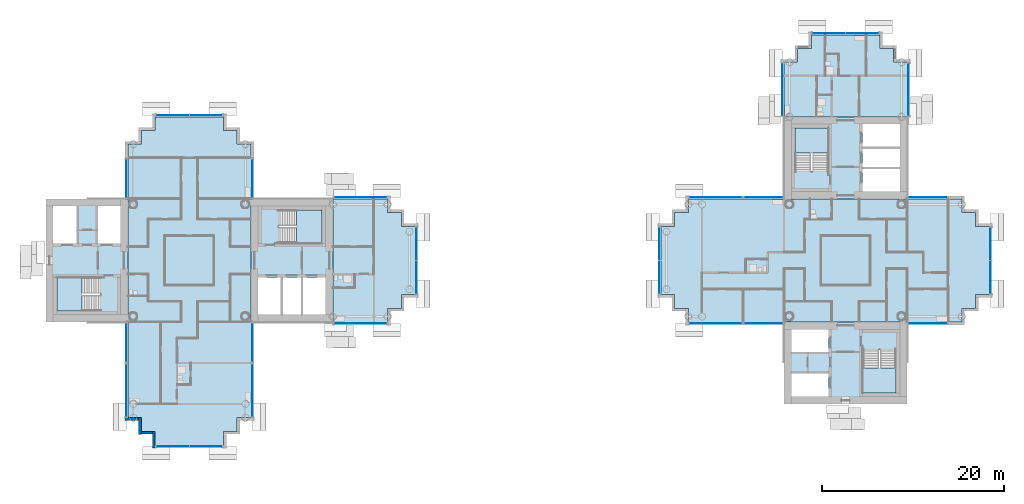
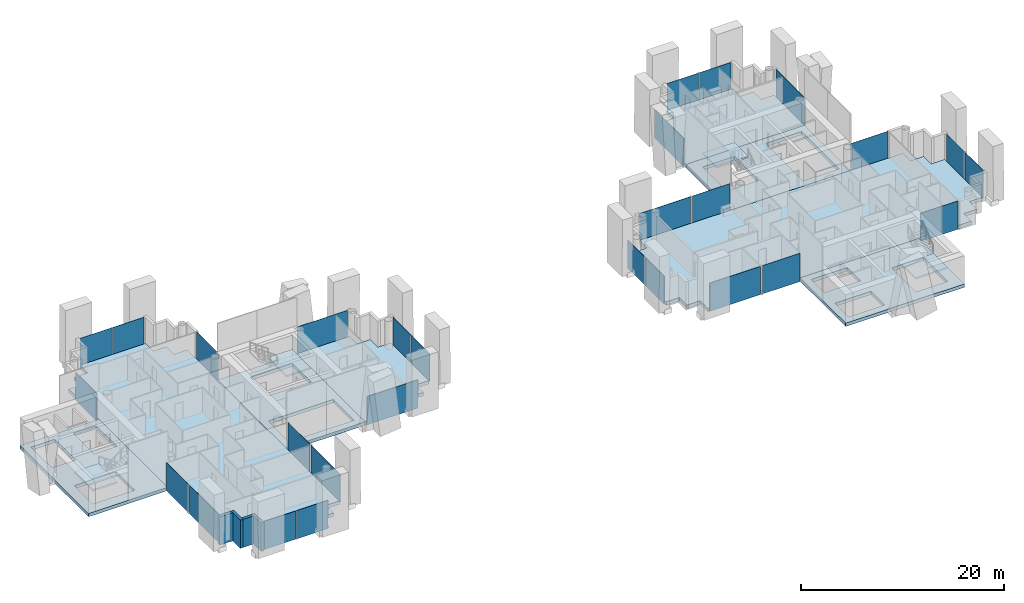
# One storey, part 5 of 18: 28 plates, 12 slabs, 4 walls, 26 elements without a shape of their own.
"""IFC4 building model written with IfcOpenShell, lengths in metres."""

from ifc_helpers import new_model, si_unit, direction, frame, frame_2d, origin, origin_2d, place, context, subcontext, project, spatial, polyline, rectangle, outline, extrude, material, layer, layer_set, type_object, element, aggregate, save


model = new_model("IFC4")

# Units and contexts
model_context = context("Model", 3, precision=1e-05, world=origin(), true_north=direction((0.0, 1.0)))
body_context = subcontext(model_context, "Body", "Model", "MODEL_VIEW")
ifc_project = project(units=[si_unit("LENGTHUNIT", "METRE"), si_unit("AREAUNIT", "SQUARE_METRE"), si_unit("VOLUMEUNIT", "CUBIC_METRE"), si_unit("PLANEANGLEUNIT", "RADIAN"), si_unit("MASSUNIT", "GRAM", prefix="KILO")], contexts=[model_context])

# Site, building, storey
site_placement = place(None, origin())
site = spatial("IfcSite", under=ifc_project, at=site_placement, CompositionType="ELEMENT")
building_placement = place(site_placement, origin())
building = spatial("IfcBuilding", under=site, at=building_placement, Name="Ipe Terrace Towers", CompositionType="ELEMENT")
storey_placement = place(building_placement, frame((0.0, 0.0, 150.699951171875)))
storey = spatial("IfcBuildingStorey", under=building, at=storey_placement, Name="L41", CompositionType="ELEMENT", Elevation=150.699951171875)

# Slabs
ifc_material_1 = material(Name="Concrete C30/37", Category="concrete")
ifc_layer_1 = layer(ifc_material_1, 0.39990234375)
ifc_layer_set_1 = layer_set([ifc_layer_1], Name="CORE FLOOR SLAB 400 C30-37")
slab_type_1 = type_object("IfcSlabType", Name="CORE FLOOR SLAB 400 C30-37", PredefinedType="FLOOR", material=ifc_layer_set_1)
slab_1_placement = place(storey_placement, frame((0.0, 0.0, -0.39990234375)))
element("IfcSlab", 1, at=slab_1_placement, inside=storey, type_object=slab_type_1, Name="Core floor T1-C1", PredefinedType="FLOOR", context=body_context, shape_type="SweptSolid", body=[
    extrude(outline(polyline([(-29.25, -6.75), (-29.25, 6.75), (-20.25, 6.75), (-20.25, -6.75), (-29.25, -6.75)]), holes=[polyline([(-28.449951171875, -5.949951171875), (-21.050048828125, -5.949951171875), (-21.050048828125, -1.85009765625), (-28.449951171875, -1.85009765625), (-28.449951171875, -5.949951171875)]), polyline([(-26.199951171875, 5.550048828125), (-26.199951171875, 1.89990234375), (-21.449951171875, 1.89990234375), (-21.449951171875, 5.550048828125), (-26.199951171875, 5.550048828125)])]), origin(), (0.0, 0.0, 1.0), 0.39990234375),
])
slab_2_placement = place(storey_placement, frame((0.0, 0.0, -0.39990234375)))
element("IfcSlab", 2, at=slab_2_placement, inside=storey, type_object=slab_type_1, Name="Core floor T1-C2", PredefinedType="FLOOR", context=body_context, shape_type="SweptSolid", body=[
    extrude(outline(polyline([(-51.75, -6.75), (-51.75, 6.75), (-42.75, 6.75), (-42.75, -6.75), (-51.75, -6.75)]), holes=[polyline([(-45.800048828125, -1.89990234375), (-50.550048828125, -1.89990234375), (-50.550048828125, -5.550048828125), (-45.800048828125, -5.550048828125), (-45.800048828125, -1.89990234375)]), polyline([(-48.25, 1.85009765625), (-48.25, 5.949951171875), (-50.949951171875, 5.949951171875), (-50.949951171875, 1.85009765625), (-48.25, 1.85009765625)]), polyline([(-43.550048828125, 1.85009765625), (-43.550048828125, 5.949951171875), (-46.14990234375, 5.949951171875), (-46.14990234375, 1.85009765625), (-43.550048828125, 1.85009765625)])]), origin(), (0.0, 0.0, 1.0), 0.39990234375),
])
slab_3_placement = place(storey_placement, frame((0.0, 0.0, -0.39990234375)))
element("IfcSlab", 3, at=slab_3_placement, inside=storey, type_object=slab_type_1, Name="Core floor T2-C1", PredefinedType="FLOOR", context=body_context, shape_type="SweptSolid", body=[
    extrude(outline(polyline([(29.25, 6.75), (29.25, 15.75), (42.75, 15.75), (42.75, 6.75), (29.25, 6.75)]), holes=[polyline([(41.949951171875, 7.550048828125), (41.949951171875, 14.949951171875), (37.85009765625, 14.949951171875), (37.85009765625, 7.550048828125), (41.949951171875, 7.550048828125)]), polyline([(30.449951171875, 9.800048828125), (34.10009765625, 9.800048828125), (34.10009765625, 14.550048828125), (30.449951171875, 14.550048828125), (30.449951171875, 9.800048828125)])]), origin(), (0.0, 0.0, 1.0), 0.39990234375),
])
slab_4_placement = place(storey_placement, frame((0.0, 0.0, -0.39990234375)))
element("IfcSlab", 4, at=slab_4_placement, inside=storey, type_object=slab_type_1, Name="Core floor T2-C2", PredefinedType="FLOOR", context=body_context, shape_type="SweptSolid", body=[
    extrude(outline(polyline([(29.25, -15.75), (29.25, -6.75), (42.75, -6.75), (42.75, -15.75), (29.25, -15.75)]), holes=[polyline([(30.050048828125, -12.25), (30.050048828125, -14.949951171875), (34.14990234375, -14.949951171875), (34.14990234375, -12.25), (30.050048828125, -12.25)]), polyline([(41.550048828125, -9.800048828125), (37.89990234375, -9.800048828125), (37.89990234375, -14.550048828125), (41.550048828125, -14.550048828125), (41.550048828125, -9.800048828125)]), polyline([(34.14990234375, -7.550048828125), (30.050048828125, -7.550048828125), (30.050048828125, -10.14990234375), (34.14990234375, -10.14990234375), (34.14990234375, -7.550048828125)])]), origin(), (0.0, 0.0, 1.0), 0.39990234375),
])

# Stair, slab
ifc_material_2 = material(Name="Concrete C30/37", Category="concrete")
stair_type = type_object("IfcStairType", Name="Protected exit stair", PredefinedType="HALF_TURN_STAIR", material=ifc_material_2)
stair_1_placement = place(storey_placement, origin())
stair_1 = element("IfcStair", 5, at=stair_1_placement, inside=storey, type_object=stair_type, Name="L41 Exit stair T1-C1", PredefinedType="HALF_TURN_STAIR")
ifc_material_3 = material(Name="Concrete C30/37", Category="concrete")
ifc_layer_2 = layer(ifc_material_3, 0.199951171875)
ifc_layer_set_2 = layer_set([ifc_layer_2], Name="Exit stair landing 200")
slab_type_2 = type_object("IfcSlabType", Name="Exit stair landing 200", PredefinedType="LANDING", material=ifc_layer_set_2)
slab_5_placement = place(storey_placement, frame((0.0, 0.0, 1.5)))
slab_5 = element("IfcSlab", 6, at=slab_5_placement, type_object=slab_type_2, Name="T1-ST1 landing 1", PredefinedType="LANDING", context=body_context, shape_type="SweptSolid", body=[
    extrude(outline(polyline([(-24.219970703125, 1.89990234375), (-21.449951171875, 1.89990234375), (-21.449951171875, 5.550048828125), (-24.219970703125, 5.550048828125), (-24.219970703125, 1.89990234375)])), origin(), (0.0, 0.0, 1.0), 0.199951171875),
])
aggregate(stair_1, [slab_5])

stair_2_placement = place(storey_placement, origin())
stair_2 = element("IfcStair", 7, at=stair_2_placement, inside=storey, type_object=stair_type, Name="L41 Exit stair T1-C2", PredefinedType="HALF_TURN_STAIR")
slab_6_placement = place(storey_placement, frame((0.0, 0.0, 1.5)))
slab_6 = element("IfcSlab", 8, at=slab_6_placement, type_object=slab_type_2, Name="T1-ST2 landing 1", PredefinedType="LANDING", context=body_context, shape_type="SweptSolid", body=[
    extrude(outline(polyline([(-47.780029296875, -1.89990234375), (-50.550048828125, -1.89990234375), (-50.550048828125, -5.550048828125), (-47.780029296875, -5.550048828125), (-47.780029296875, -1.89990234375)])), origin(), (0.0, 0.0, 1.0), 0.199951171875),
])
aggregate(stair_2, [slab_6])

stair_3_placement = place(storey_placement, origin())
stair_3 = element("IfcStair", 9, at=stair_3_placement, inside=storey, type_object=stair_type, Name="L41 Exit stair T2-C1", PredefinedType="HALF_TURN_STAIR")
slab_7_placement = place(storey_placement, frame((0.0, 0.0, 1.5)))
slab_7 = element("IfcSlab", 10, at=slab_7_placement, type_object=slab_type_2, Name="T2-ST1 landing 1", PredefinedType="LANDING", context=body_context, shape_type="SweptSolid", body=[
    extrude(outline(polyline([(34.10009765625, 11.780029296875), (34.10009765625, 14.550048828125), (30.449951171875, 14.550048828125), (30.449951171875, 11.780029296875), (34.10009765625, 11.780029296875)])), origin(), (0.0, 0.0, 1.0), 0.199951171875),
])
aggregate(stair_3, [slab_7])

stair_4_placement = place(storey_placement, origin())
stair_4 = element("IfcStair", 11, at=stair_4_placement, inside=storey, type_object=stair_type, Name="L41 Exit stair T2-C2", PredefinedType="HALF_TURN_STAIR")
slab_8_placement = place(storey_placement, frame((0.0, 0.0, 1.5)))
slab_8 = element("IfcSlab", 12, at=slab_8_placement, type_object=slab_type_2, Name="T2-ST2 landing 1", PredefinedType="LANDING", context=body_context, shape_type="SweptSolid", body=[
    extrude(outline(polyline([(37.89990234375, -11.780029296875), (37.89990234375, -14.550048828125), (41.550048828125, -14.550048828125), (41.550048828125, -11.780029296875), (37.89990234375, -11.780029296875)])), origin(), (0.0, 0.0, 1.0), 0.199951171875),
])
aggregate(stair_4, [slab_8])

# Slabs
ifc_material_4 = material(Name="Concrete C40/50", Category="concrete")
ifc_layer_3 = layer(ifc_material_4, 0.39990234375)
ifc_layer_set_3 = layer_set([ifc_layer_3], Name="FLAT PLATE SLAB 400 C40-50")
slab_type_3 = type_object("IfcSlabType", Name="FLAT PLATE SLAB 400 C40-50", PredefinedType="FLOOR", material=ifc_layer_set_3)
slab_9_placement = place(storey_placement, frame((0.0, 0.0, -0.39990234375)))
element("IfcSlab", 13, at=slab_9_placement, inside=storey, type_object=slab_type_3, Name="Slab T1-FS-Z31", PredefinedType="FLOOR", context=body_context, shape_type="SweptSolid", body=[
    extrude(outline(polyline([(-30.75, -17.25), (-30.75, -18.75), (-32.25, -18.75), (-32.25, -20.25), (-39.75, -20.25), (-39.75, -18.75), (-41.25, -18.75), (-41.25, -17.25), (-42.75, -17.25), (-42.75, -6.75), (-42.75, 6.75), (-42.75, 12.75), (-41.25, 12.75), (-41.25, 14.25), (-39.75, 14.25), (-39.75, 15.75), (-32.25, 15.75), (-32.25, 14.25), (-30.75, 14.25), (-30.75, 12.75), (-29.25, 12.75), (-29.25, 6.75), (-29.25, -6.75), (-29.25, -17.25), (-30.75, -17.25)])), origin(), (0.0, 0.0, 1.0), 0.39990234375),
])
slab_10_placement = place(storey_placement, frame((0.0, 0.0, -0.39990234375)))
element("IfcSlab", 14, at=slab_10_placement, inside=storey, type_object=slab_type_3, Name="Slab T1-FS-Z32", PredefinedType="FLOOR", context=body_context, shape_type="SweptSolid", body=[
    extrude(outline(polyline([(-14.25, 5.25), (-12.75, 5.25), (-12.75, 3.75), (-11.25, 3.75), (-11.25, -3.75), (-12.75, -3.75), (-12.75, -5.25), (-14.25, -5.25), (-14.25, -6.75), (-20.25, -6.75), (-20.25, 6.75), (-14.25, 6.75), (-14.25, 5.25)])), origin(), (0.0, 0.0, 1.0), 0.39990234375),
])
slab_11_placement = place(storey_placement, frame((0.0, 0.0, -0.39990234375)))
element("IfcSlab", 15, at=slab_11_placement, inside=storey, type_object=slab_type_3, Name="Slab T2-FS-Z31", PredefinedType="FLOOR", context=body_context, shape_type="SweptSolid", body=[
    extrude(outline(polyline([(48.75, 5.25), (50.25, 5.25), (50.25, 3.75), (51.75, 3.75), (51.75, -3.75), (50.25, -3.75), (50.25, -5.25), (48.75, -5.25), (48.75, -6.75), (42.75, -6.75), (29.25, -6.75), (18.75, -6.75), (18.75, -5.25), (17.25, -5.25), (17.25, -3.75), (15.75, -3.75), (15.75, 3.75), (17.25, 3.75), (17.25, 5.25), (18.75, 5.25), (18.75, 6.75), (29.25, 6.75), (42.75, 6.75), (48.75, 6.75), (48.75, 5.25)])), origin(), (0.0, 0.0, 1.0), 0.39990234375),
])
slab_12_placement = place(storey_placement, frame((0.0, 0.0, -0.39990234375)))
element("IfcSlab", 16, at=slab_12_placement, inside=storey, type_object=slab_type_3, Name="Slab T2-FS-Z32", PredefinedType="FLOOR", context=body_context, shape_type="SweptSolid", body=[
    extrude(outline(polyline([(30.75, 21.75), (30.75, 23.25), (32.25, 23.25), (32.25, 24.75), (39.75, 24.75), (39.75, 23.25), (41.25, 23.25), (41.25, 21.75), (42.75, 21.75), (42.75, 15.75), (29.25, 15.75), (29.25, 21.75), (30.75, 21.75)])), origin(), (0.0, 0.0, 1.0), 0.39990234375),
])

# Curtain wall, plate
ifc_material_5 = material(Name="Aluminium alloy 6063-T6", Category="aluminium")
ifc_layer_4 = layer(ifc_material_5, 0.320068359375)
ifc_layer_set_4 = layer_set([ifc_layer_4], Name="TOWER UNITISED CURTAIN WALL")
curtain_wall_type = type_object("IfcCurtainWallType", Name="TOWER UNITISED CURTAIN WALL", PredefinedType="NOTDEFINED", material=ifc_layer_set_4)
curtain_wall_1_placement = place(storey_placement, origin())
curtain_wall_1 = element("IfcCurtainWall", 17, at=curtain_wall_1_placement, inside=storey, type_object=curtain_wall_type, Name="T1-CW-L41-02a curtain wall", PredefinedType="NOTDEFINED")
ifc_material_6 = material(Name="Glass, clear laminated", Category="glass")
ifc_layer_5 = layer(ifc_material_6, 0.031982421875)
ifc_layer_set_5 = layer_set([ifc_layer_5], Name="TOWER UNITISED GLASS PANEL 32")
plate_type = type_object("IfcPlateType", Name="TOWER UNITISED GLASS PANEL 32", PredefinedType="CURTAIN_PANEL", material=ifc_layer_set_5)
plate_1_placement = place(storey_placement, frame((-42.909912109375, -9.0, -0.2998046875), z_axis=(0.0, 0.0, 1.0), x_axis=(0.0, -1.0, 0.0)))
plate_1 = element("IfcPlate", 18, at=plate_1_placement, type_object=plate_type, Name="T1-CW-L41-02a panel 1", PredefinedType="CURTAIN_PANEL", context=body_context, shape_type="SweptSolid", body=[
    extrude(rectangle(XDim=4.260009765625, YDim=0.031982421875, at=origin_2d()), origin(), (0.0, 0.0, 1.0), 3.39990234375),
])
aggregate(curtain_wall_1, [plate_1])

curtain_wall_2_placement = place(storey_placement, origin())
curtain_wall_2 = element("IfcCurtainWall", 19, at=curtain_wall_2_placement, inside=storey, type_object=curtain_wall_type, Name="T1-CW-L41-03a curtain wall", PredefinedType="NOTDEFINED")
plate_2_placement = place(storey_placement, frame((-42.909912109375, -14.25, -0.2998046875), z_axis=(0.0, 0.0, 1.0), x_axis=(0.0, -1.0, 0.0)))
plate_2 = element("IfcPlate", 20, at=plate_2_placement, type_object=plate_type, Name="T1-CW-L41-03a panel 1", PredefinedType="CURTAIN_PANEL", context=body_context, shape_type="SweptSolid", body=[
    extrude(rectangle(XDim=5.760009765625, YDim=0.031982421875, at=origin_2d()), origin(), (0.0, 0.0, 1.0), 3.39990234375),
])
aggregate(curtain_wall_2, [plate_2])

# Curtain wall, plates
curtain_wall_3_placement = place(storey_placement, origin())
curtain_wall_3 = element("IfcCurtainWall", 21, at=curtain_wall_3_placement, inside=storey, type_object=curtain_wall_type, Name="T1-CW-L41-08a curtain wall", PredefinedType="NOTDEFINED")
plate_3_placement = place(storey_placement, frame((-37.831298828125, -20.409912109375, -0.2998046875), z_axis=(0.0, 0.0, 1.0), x_axis=(1.0, 0.0, 0.0)))
plate_3 = element("IfcPlate", 22, at=plate_3_placement, type_object=plate_type, Name="T1-CW-L41-08a panel 1", PredefinedType="CURTAIN_PANEL", context=body_context, shape_type="SweptSolid", body=[
    extrude(rectangle(XDim=3.597412109375, YDim=0.031982421875, at=origin_2d()), origin(), (0.0, 0.0, 1.0), 3.39990234375),
])
plate_4_placement = place(storey_placement, frame((-34.168701171875, -20.409912109375, -0.2998046875), z_axis=(0.0, 0.0, 1.0), x_axis=(1.0, 0.0, 0.0)))
plate_4 = element("IfcPlate", 23, at=plate_4_placement, type_object=plate_type, Name="T1-CW-L41-08a panel 2", PredefinedType="CURTAIN_PANEL", context=body_context, shape_type="SweptSolid", body=[
    extrude(rectangle(XDim=3.597412109375, YDim=0.031982421875, at=origin_2d()), origin(), (0.0, 0.0, 1.0), 3.39990234375),
])
aggregate(curtain_wall_3, [plate_3, plate_4])

# Curtain wall, plate
curtain_wall_4_placement = place(storey_placement, origin())
curtain_wall_4 = element("IfcCurtainWall", 24, at=curtain_wall_4_placement, inside=storey, type_object=curtain_wall_type, Name="T1-CW-L41-13a curtain wall", PredefinedType="NOTDEFINED")
plate_5_placement = place(storey_placement, frame((-29.090087890625, -14.25, -0.2998046875), z_axis=(0.0, 0.0, 1.0), x_axis=(0.0, 1.0, 0.0)))
plate_5 = element("IfcPlate", 25, at=plate_5_placement, type_object=plate_type, Name="T1-CW-L41-13a panel 1", PredefinedType="CURTAIN_PANEL", context=body_context, shape_type="SweptSolid", body=[
    extrude(rectangle(XDim=5.760009765625, YDim=0.031982421875, at=origin_2d()), origin(), (0.0, 0.0, 1.0), 3.39990234375),
])
aggregate(curtain_wall_4, [plate_5])

curtain_wall_5_placement = place(storey_placement, origin())
curtain_wall_5 = element("IfcCurtainWall", 26, at=curtain_wall_5_placement, inside=storey, type_object=curtain_wall_type, Name="T1-CW-L41-14a curtain wall", PredefinedType="NOTDEFINED")
plate_6_placement = place(storey_placement, frame((-29.090087890625, -9.0, -0.2998046875), z_axis=(0.0, 0.0, 1.0), x_axis=(0.0, 1.0, 0.0)))
plate_6 = element("IfcPlate", 27, at=plate_6_placement, type_object=plate_type, Name="T1-CW-L41-14a panel 1", PredefinedType="CURTAIN_PANEL", context=body_context, shape_type="SweptSolid", body=[
    extrude(rectangle(XDim=4.260009765625, YDim=0.031982421875, at=origin_2d()), origin(), (0.0, 0.0, 1.0), 3.39990234375),
])
aggregate(curtain_wall_5, [plate_6])

curtain_wall_6_placement = place(storey_placement, origin())
curtain_wall_6 = element("IfcCurtainWall", 28, at=curtain_wall_6_placement, inside=storey, type_object=curtain_wall_type, Name="T1-CW-L41-16b curtain wall", PredefinedType="NOTDEFINED")
plate_7_placement = place(storey_placement, frame((-17.24951171875, -6.909912109375, -0.2998046875), z_axis=(0.0, 0.0, 1.0), x_axis=(1.0, 0.0, 0.0)))
plate_7 = element("IfcPlate", 29, at=plate_7_placement, type_object=plate_type, Name="T1-CW-L41-16b panel 1", PredefinedType="CURTAIN_PANEL", context=body_context, shape_type="SweptSolid", body=[
    extrude(rectangle(XDim=5.759033203125, YDim=0.031982421875, at=origin_2d()), origin(), (0.0, 0.0, 1.0), 3.39990234375),
])
aggregate(curtain_wall_6, [plate_7])

# Curtain wall, plates
curtain_wall_7_placement = place(storey_placement, origin())
curtain_wall_7 = element("IfcCurtainWall", 30, at=curtain_wall_7_placement, inside=storey, type_object=curtain_wall_type, Name="T1-CW-L41-21a curtain wall", PredefinedType="NOTDEFINED")
plate_8_placement = place(storey_placement, frame((-11.090087890625, -1.831298828125, -0.2998046875), z_axis=(0.0, 0.0, 1.0), x_axis=(0.0, 1.0, 0.0)))
plate_8 = element("IfcPlate", 31, at=plate_8_placement, type_object=plate_type, Name="T1-CW-L41-21a panel 1", PredefinedType="CURTAIN_PANEL", context=body_context, shape_type="SweptSolid", body=[
    extrude(rectangle(XDim=3.597412109375, YDim=0.031982421875, at=origin_2d()), origin(), (0.0, 0.0, 1.0), 3.39990234375),
])
plate_9_placement = place(storey_placement, frame((-11.090087890625, 1.831298828125, -0.2998046875), z_axis=(0.0, 0.0, 1.0), x_axis=(0.0, 1.0, 0.0)))
plate_9 = element("IfcPlate", 32, at=plate_9_placement, type_object=plate_type, Name="T1-CW-L41-21a panel 2", PredefinedType="CURTAIN_PANEL", context=body_context, shape_type="SweptSolid", body=[
    extrude(rectangle(XDim=3.597412109375, YDim=0.031982421875, at=origin_2d()), origin(), (0.0, 0.0, 1.0), 3.39990234375),
])
aggregate(curtain_wall_7, [plate_8, plate_9])

# Curtain wall, plate
curtain_wall_8_placement = place(storey_placement, origin())
curtain_wall_8 = element("IfcCurtainWall", 33, at=curtain_wall_8_placement, inside=storey, type_object=curtain_wall_type, Name="T1-CW-L41-26a curtain wall", PredefinedType="NOTDEFINED")
plate_10_placement = place(storey_placement, frame((-17.24951171875, 6.909912109375, -0.2998046875), z_axis=(0.0, 0.0, 1.0), x_axis=(-1.0, 0.0, 0.0)))
plate_10 = element("IfcPlate", 34, at=plate_10_placement, type_object=plate_type, Name="T1-CW-L41-26a panel 1", PredefinedType="CURTAIN_PANEL", context=body_context, shape_type="SweptSolid", body=[
    extrude(rectangle(XDim=5.759033203125, YDim=0.031982421875, at=origin_2d()), origin(), (0.0, 0.0, 1.0), 3.39990234375),
])
aggregate(curtain_wall_8, [plate_10])

curtain_wall_9_placement = place(storey_placement, origin())
curtain_wall_9 = element("IfcCurtainWall", 35, at=curtain_wall_9_placement, inside=storey, type_object=curtain_wall_type, Name="T1-CW-L41-28a curtain wall", PredefinedType="NOTDEFINED")
plate_11_placement = place(storey_placement, frame((-29.090087890625, 9.0, -0.2998046875), z_axis=(0.0, 0.0, 1.0), x_axis=(0.0, 1.0, 0.0)))
plate_11 = element("IfcPlate", 36, at=plate_11_placement, type_object=plate_type, Name="T1-CW-L41-28a panel 1", PredefinedType="CURTAIN_PANEL", context=body_context, shape_type="SweptSolid", body=[
    extrude(rectangle(XDim=4.260009765625, YDim=0.031982421875, at=origin_2d()), origin(), (0.0, 0.0, 1.0), 3.39990234375),
])
aggregate(curtain_wall_9, [plate_11])

# Curtain wall, plates
curtain_wall_10_placement = place(storey_placement, origin())
curtain_wall_10 = element("IfcCurtainWall", 37, at=curtain_wall_10_placement, inside=storey, type_object=curtain_wall_type, Name="T1-CW-L41-34a curtain wall", PredefinedType="NOTDEFINED")
plate_12_placement = place(storey_placement, frame((-34.168701171875, 15.909912109375, -0.2998046875), z_axis=(0.0, 0.0, 1.0), x_axis=(-1.0, 0.0, 0.0)))
plate_12 = element("IfcPlate", 38, at=plate_12_placement, type_object=plate_type, Name="T1-CW-L41-34a panel 1", PredefinedType="CURTAIN_PANEL", context=body_context, shape_type="SweptSolid", body=[
    extrude(rectangle(XDim=3.597412109375, YDim=0.031982421875, at=origin_2d()), origin(), (0.0, 0.0, 1.0), 3.39990234375),
])
plate_13_placement = place(storey_placement, frame((-37.831298828125, 15.909912109375, -0.2998046875), z_axis=(0.0, 0.0, 1.0), x_axis=(-1.0, 0.0, 0.0)))
plate_13 = element("IfcPlate", 39, at=plate_13_placement, type_object=plate_type, Name="T1-CW-L41-34a panel 2", PredefinedType="CURTAIN_PANEL", context=body_context, shape_type="SweptSolid", body=[
    extrude(rectangle(XDim=3.597412109375, YDim=0.031982421875, at=origin_2d()), origin(), (0.0, 0.0, 1.0), 3.39990234375),
])
aggregate(curtain_wall_10, [plate_12, plate_13])

# Curtain wall, plate
curtain_wall_11_placement = place(storey_placement, origin())
curtain_wall_11 = element("IfcCurtainWall", 40, at=curtain_wall_11_placement, inside=storey, type_object=curtain_wall_type, Name="T1-CW-L41-40a curtain wall", PredefinedType="NOTDEFINED")
plate_14_placement = place(storey_placement, frame((-42.909912109375, 9.0, -0.2998046875), z_axis=(0.0, 0.0, 1.0), x_axis=(0.0, -1.0, 0.0)))
plate_14 = element("IfcPlate", 41, at=plate_14_placement, type_object=plate_type, Name="T1-CW-L41-40a panel 1", PredefinedType="CURTAIN_PANEL", context=body_context, shape_type="SweptSolid", body=[
    extrude(rectangle(XDim=4.260009765625, YDim=0.031982421875, at=origin_2d()), origin(), (0.0, 0.0, 1.0), 3.39990234375),
])
aggregate(curtain_wall_11, [plate_14])

curtain_wall_12_placement = place(storey_placement, origin())
curtain_wall_12 = element("IfcCurtainWall", 42, at=curtain_wall_12_placement, inside=storey, type_object=curtain_wall_type, Name="T2-CW-L41-02a curtain wall", PredefinedType="NOTDEFINED")
plate_15_placement = place(storey_placement, frame((45.0, -6.909912109375, -0.2998046875), z_axis=(0.0, 0.0, 1.0), x_axis=(1.0, 0.0, 0.0)))
plate_15 = element("IfcPlate", 43, at=plate_15_placement, type_object=plate_type, Name="T2-CW-L41-02a panel 1", PredefinedType="CURTAIN_PANEL", context=body_context, shape_type="SweptSolid", body=[
    extrude(rectangle(XDim=4.260009765625, YDim=0.031982421875, at=origin_2d()), origin(), (0.0, 0.0, 1.0), 3.39990234375),
])
aggregate(curtain_wall_12, [plate_15])

# Curtain wall, plates
curtain_wall_13_placement = place(storey_placement, origin())
curtain_wall_13 = element("IfcCurtainWall", 44, at=curtain_wall_13_placement, inside=storey, type_object=curtain_wall_type, Name="T2-CW-L41-08a curtain wall", PredefinedType="NOTDEFINED")
plate_16_placement = place(storey_placement, frame((51.909912109375, -1.831298828125, -0.2998046875), z_axis=(0.0, 0.0, 1.0), x_axis=(0.0, 1.0, 0.0)))
plate_16 = element("IfcPlate", 45, at=plate_16_placement, type_object=plate_type, Name="T2-CW-L41-08a panel 1", PredefinedType="CURTAIN_PANEL", context=body_context, shape_type="SweptSolid", body=[
    extrude(rectangle(XDim=3.597412109375, YDim=0.031982421875, at=origin_2d()), origin(), (0.0, 0.0, 1.0), 3.39990234375),
])
plate_17_placement = place(storey_placement, frame((51.909912109375, 1.831298828125, -0.2998046875), z_axis=(0.0, 0.0, 1.0), x_axis=(0.0, 1.0, 0.0)))
plate_17 = element("IfcPlate", 46, at=plate_17_placement, type_object=plate_type, Name="T2-CW-L41-08a panel 2", PredefinedType="CURTAIN_PANEL", context=body_context, shape_type="SweptSolid", body=[
    extrude(rectangle(XDim=3.597412109375, YDim=0.031982421875, at=origin_2d()), origin(), (0.0, 0.0, 1.0), 3.39990234375),
])
aggregate(curtain_wall_13, [plate_16, plate_17])

# Curtain wall, plate
curtain_wall_14_placement = place(storey_placement, origin())
curtain_wall_14 = element("IfcCurtainWall", 47, at=curtain_wall_14_placement, inside=storey, type_object=curtain_wall_type, Name="T2-CW-L41-14a curtain wall", PredefinedType="NOTDEFINED")
plate_18_placement = place(storey_placement, frame((45.0, 6.909912109375, -0.2998046875), z_axis=(0.0, 0.0, 1.0), x_axis=(-1.0, 0.0, 0.0)))
plate_18 = element("IfcPlate", 48, at=plate_18_placement, type_object=plate_type, Name="T2-CW-L41-14a panel 1", PredefinedType="CURTAIN_PANEL", context=body_context, shape_type="SweptSolid", body=[
    extrude(rectangle(XDim=4.260009765625, YDim=0.031982421875, at=origin_2d()), origin(), (0.0, 0.0, 1.0), 3.39990234375),
])
aggregate(curtain_wall_14, [plate_18])

curtain_wall_15_placement = place(storey_placement, origin())
curtain_wall_15 = element("IfcCurtainWall", 49, at=curtain_wall_15_placement, inside=storey, type_object=curtain_wall_type, Name="T2-CW-L41-16b curtain wall", PredefinedType="NOTDEFINED")
plate_19_placement = place(storey_placement, frame((42.909912109375, 18.75048828125, -0.2998046875), z_axis=(0.0, 0.0, 1.0), x_axis=(0.0, 1.0, 0.0)))
plate_19 = element("IfcPlate", 50, at=plate_19_placement, type_object=plate_type, Name="T2-CW-L41-16b panel 1", PredefinedType="CURTAIN_PANEL", context=body_context, shape_type="SweptSolid", body=[
    extrude(rectangle(XDim=5.759033203125, YDim=0.031982421875, at=origin_2d()), origin(), (0.0, 0.0, 1.0), 3.39990234375),
])
aggregate(curtain_wall_15, [plate_19])

# Curtain wall, plates
curtain_wall_16_placement = place(storey_placement, origin())
curtain_wall_16 = element("IfcCurtainWall", 51, at=curtain_wall_16_placement, inside=storey, type_object=curtain_wall_type, Name="T2-CW-L41-21a curtain wall", PredefinedType="NOTDEFINED")
plate_20_placement = place(storey_placement, frame((37.831298828125, 24.909912109375, -0.2998046875), z_axis=(0.0, 0.0, 1.0), x_axis=(-1.0, 0.0, 0.0)))
plate_20 = element("IfcPlate", 52, at=plate_20_placement, type_object=plate_type, Name="T2-CW-L41-21a panel 1", PredefinedType="CURTAIN_PANEL", context=body_context, shape_type="SweptSolid", body=[
    extrude(rectangle(XDim=3.597412109375, YDim=0.031982421875, at=origin_2d()), origin(), (0.0, 0.0, 1.0), 3.39990234375),
])
plate_21_placement = place(storey_placement, frame((34.168701171875, 24.909912109375, -0.2998046875), z_axis=(0.0, 0.0, 1.0), x_axis=(-1.0, 0.0, 0.0)))
plate_21 = element("IfcPlate", 53, at=plate_21_placement, type_object=plate_type, Name="T2-CW-L41-21a panel 2", PredefinedType="CURTAIN_PANEL", context=body_context, shape_type="SweptSolid", body=[
    extrude(rectangle(XDim=3.597412109375, YDim=0.031982421875, at=origin_2d()), origin(), (0.0, 0.0, 1.0), 3.39990234375),
])
aggregate(curtain_wall_16, [plate_20, plate_21])

# Curtain wall, plate
curtain_wall_17_placement = place(storey_placement, origin())
curtain_wall_17 = element("IfcCurtainWall", 54, at=curtain_wall_17_placement, inside=storey, type_object=curtain_wall_type, Name="T2-CW-L41-26a curtain wall", PredefinedType="NOTDEFINED")
plate_22_placement = place(storey_placement, frame((29.090087890625, 18.75048828125, -0.2998046875), z_axis=(0.0, 0.0, 1.0), x_axis=(0.0, -1.0, 0.0)))
plate_22 = element("IfcPlate", 55, at=plate_22_placement, type_object=plate_type, Name="T2-CW-L41-26a panel 1", PredefinedType="CURTAIN_PANEL", context=body_context, shape_type="SweptSolid", body=[
    extrude(rectangle(XDim=5.759033203125, YDim=0.031982421875, at=origin_2d()), origin(), (0.0, 0.0, 1.0), 3.39990234375),
])
aggregate(curtain_wall_17, [plate_22])

curtain_wall_18_placement = place(storey_placement, origin())
curtain_wall_18 = element("IfcCurtainWall", 56, at=curtain_wall_18_placement, inside=storey, type_object=curtain_wall_type, Name="T2-CW-L41-28a curtain wall", PredefinedType="NOTDEFINED")
plate_23_placement = place(storey_placement, frame((27.0, 6.909912109375, -0.2998046875), z_axis=(0.0, 0.0, 1.0), x_axis=(-1.0, 0.0, 0.0)))
plate_23 = element("IfcPlate", 57, at=plate_23_placement, type_object=plate_type, Name="T2-CW-L41-28a panel 1", PredefinedType="CURTAIN_PANEL", context=body_context, shape_type="SweptSolid", body=[
    extrude(rectangle(XDim=4.260009765625, YDim=0.031982421875, at=origin_2d()), origin(), (0.0, 0.0, 1.0), 3.39990234375),
])
aggregate(curtain_wall_18, [plate_23])

curtain_wall_19_placement = place(storey_placement, origin())
curtain_wall_19 = element("IfcCurtainWall", 58, at=curtain_wall_19_placement, inside=storey, type_object=curtain_wall_type, Name="T2-CW-L41-29a curtain wall", PredefinedType="NOTDEFINED")
plate_24_placement = place(storey_placement, frame((21.75, 6.909912109375, -0.2998046875), z_axis=(0.0, 0.0, 1.0), x_axis=(-1.0, 0.0, 0.0)))
plate_24 = element("IfcPlate", 59, at=plate_24_placement, type_object=plate_type, Name="T2-CW-L41-29a panel 1", PredefinedType="CURTAIN_PANEL", context=body_context, shape_type="SweptSolid", body=[
    extrude(rectangle(XDim=5.760009765625, YDim=0.031982421875, at=origin_2d()), origin(), (0.0, 0.0, 1.0), 3.39990234375),
])
aggregate(curtain_wall_19, [plate_24])

# Curtain wall, plates
curtain_wall_20_placement = place(storey_placement, origin())
curtain_wall_20 = element("IfcCurtainWall", 60, at=curtain_wall_20_placement, inside=storey, type_object=curtain_wall_type, Name="T2-CW-L41-34a curtain wall", PredefinedType="NOTDEFINED")
plate_25_placement = place(storey_placement, frame((15.590087890625, 1.831298828125, -0.2998046875), z_axis=(0.0, 0.0, 1.0), x_axis=(0.0, -1.0, 0.0)))
plate_25 = element("IfcPlate", 61, at=plate_25_placement, type_object=plate_type, Name="T2-CW-L41-34a panel 1", PredefinedType="CURTAIN_PANEL", context=body_context, shape_type="SweptSolid", body=[
    extrude(rectangle(XDim=3.597412109375, YDim=0.031982421875, at=origin_2d()), origin(), (0.0, 0.0, 1.0), 3.39990234375),
])
plate_26_placement = place(storey_placement, frame((15.590087890625, -1.831298828125, -0.2998046875), z_axis=(0.0, 0.0, 1.0), x_axis=(0.0, -1.0, 0.0)))
plate_26 = element("IfcPlate", 62, at=plate_26_placement, type_object=plate_type, Name="T2-CW-L41-34a panel 2", PredefinedType="CURTAIN_PANEL", context=body_context, shape_type="SweptSolid", body=[
    extrude(rectangle(XDim=3.597412109375, YDim=0.031982421875, at=origin_2d()), origin(), (0.0, 0.0, 1.0), 3.39990234375),
])
aggregate(curtain_wall_20, [plate_25, plate_26])

# Curtain wall, plate
curtain_wall_21_placement = place(storey_placement, origin())
curtain_wall_21 = element("IfcCurtainWall", 63, at=curtain_wall_21_placement, inside=storey, type_object=curtain_wall_type, Name="T2-CW-L41-39a curtain wall", PredefinedType="NOTDEFINED")
plate_27_placement = place(storey_placement, frame((21.75, -6.909912109375, -0.2998046875), z_axis=(0.0, 0.0, 1.0), x_axis=(1.0, 0.0, 0.0)))
plate_27 = element("IfcPlate", 64, at=plate_27_placement, type_object=plate_type, Name="T2-CW-L41-39a panel 1", PredefinedType="CURTAIN_PANEL", context=body_context, shape_type="SweptSolid", body=[
    extrude(rectangle(XDim=5.760009765625, YDim=0.031982421875, at=origin_2d()), origin(), (0.0, 0.0, 1.0), 3.39990234375),
])
aggregate(curtain_wall_21, [plate_27])

curtain_wall_22_placement = place(storey_placement, origin())
curtain_wall_22 = element("IfcCurtainWall", 65, at=curtain_wall_22_placement, inside=storey, type_object=curtain_wall_type, Name="T2-CW-L41-40a curtain wall", PredefinedType="NOTDEFINED")
plate_28_placement = place(storey_placement, frame((27.0, -6.909912109375, -0.2998046875), z_axis=(0.0, 0.0, 1.0), x_axis=(1.0, 0.0, 0.0)))
plate_28 = element("IfcPlate", 66, at=plate_28_placement, type_object=plate_type, Name="T2-CW-L41-40a panel 1", PredefinedType="CURTAIN_PANEL", context=body_context, shape_type="SweptSolid", body=[
    extrude(rectangle(XDim=4.260009765625, YDim=0.031982421875, at=origin_2d()), origin(), (0.0, 0.0, 1.0), 3.39990234375),
])
aggregate(curtain_wall_22, [plate_28])

# Walls
ifc_material_7 = material(Name="Concrete C40/50 with buff precast cladding", Category="concrete")
ifc_layer_6 = layer(ifc_material_7, 0.320068359375)
ifc_layer_set_6 = layer_set([ifc_layer_6], Name="BUFF CLADDING WALL 320")
wall_type = type_object("IfcWallType", Name="BUFF CLADDING WALL 320", PredefinedType="STANDARD", material=ifc_layer_set_6)
wall_1_placement = place(storey_placement, frame((-43.070068359375, -17.409912109375, -0.300048828125), z_axis=(0.0, 0.0, 1.0), x_axis=(1.0, 0.0, 0.0)))
element("IfcWall", 67, at=wall_1_placement, inside=storey, type_object=wall_type, Name="T1-W-L41-04a wall", PredefinedType="STANDARD", context=body_context, shape_type="SweptSolid", body=[
    extrude(rectangle(XDim=1.5, YDim=0.320068359375, at=frame_2d((0.75, 0.0))), origin(), (0.0, 0.0, 1.0), 3.400146484375),
])
wall_2_placement = place(storey_placement, frame((-41.409912109375, -17.25, -0.300048828125), z_axis=(0.0, 0.0, 1.0), x_axis=(0.0, -1.0, 0.0)))
element("IfcWall", 68, at=wall_2_placement, inside=storey, type_object=wall_type, Name="T1-W-L41-05a wall", PredefinedType="STANDARD", context=body_context, shape_type="SweptSolid", body=[
    extrude(rectangle(XDim=1.820068359375, YDim=0.320068359375, at=frame_2d((0.91015625, 0.0))), origin(), (0.0, 0.0, 1.0), 3.400146484375),
])
wall_3_placement = place(storey_placement, frame((-41.25, -18.909912109375, -0.300048828125), z_axis=(0.0, 0.0, 1.0), x_axis=(1.0, 0.0, 0.0)))
element("IfcWall", 69, at=wall_3_placement, inside=storey, type_object=wall_type, Name="T1-W-L41-06a wall", PredefinedType="STANDARD", context=body_context, shape_type="SweptSolid", body=[
    extrude(rectangle(XDim=1.179931640625, YDim=0.320068359375, at=frame_2d((0.58984375, 0.0))), origin(), (0.0, 0.0, 1.0), 3.400146484375),
])
wall_4_placement = place(storey_placement, frame((-39.909912109375, -18.75, -0.300048828125), z_axis=(0.0, 0.0, 1.0), x_axis=(0.0, -1.0, 0.0)))
element("IfcWall", 70, at=wall_4_placement, inside=storey, type_object=wall_type, Name="T1-W-L41-07a wall", PredefinedType="STANDARD", context=body_context, shape_type="SweptSolid", body=[
    extrude(rectangle(XDim=1.820068359375, YDim=0.320068359375, at=frame_2d((0.91015625, 0.0))), origin(), (0.0, 0.0, 1.0), 3.400146484375),
])

save(model, "model.ifc")
